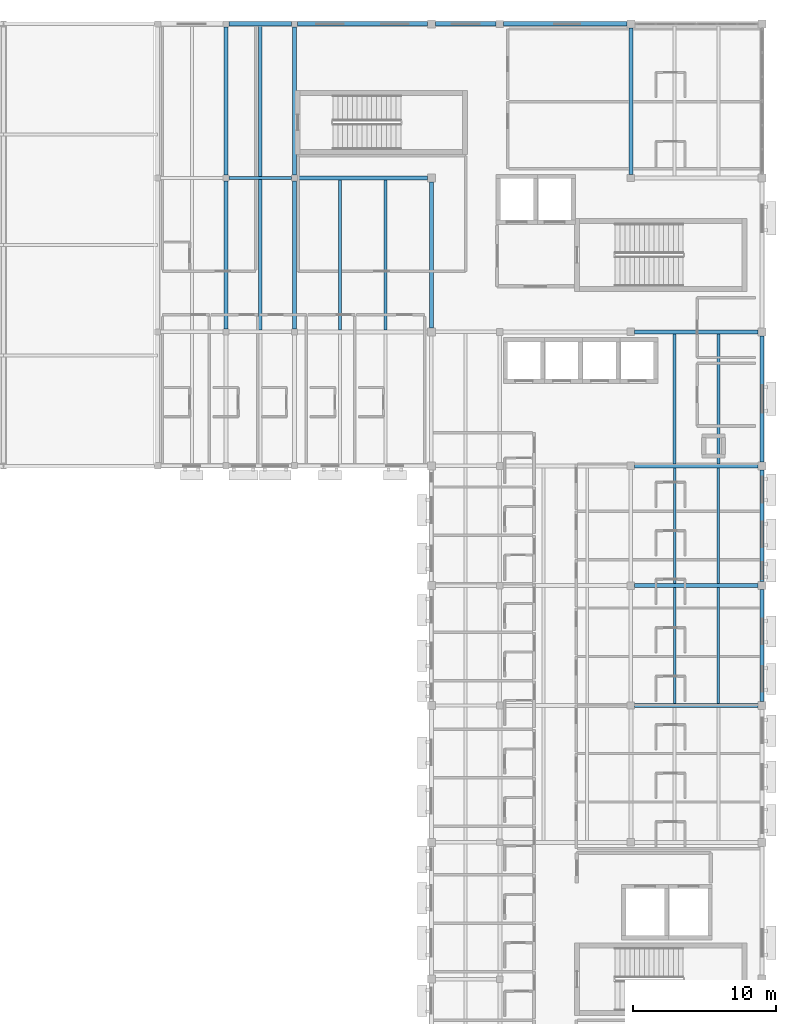
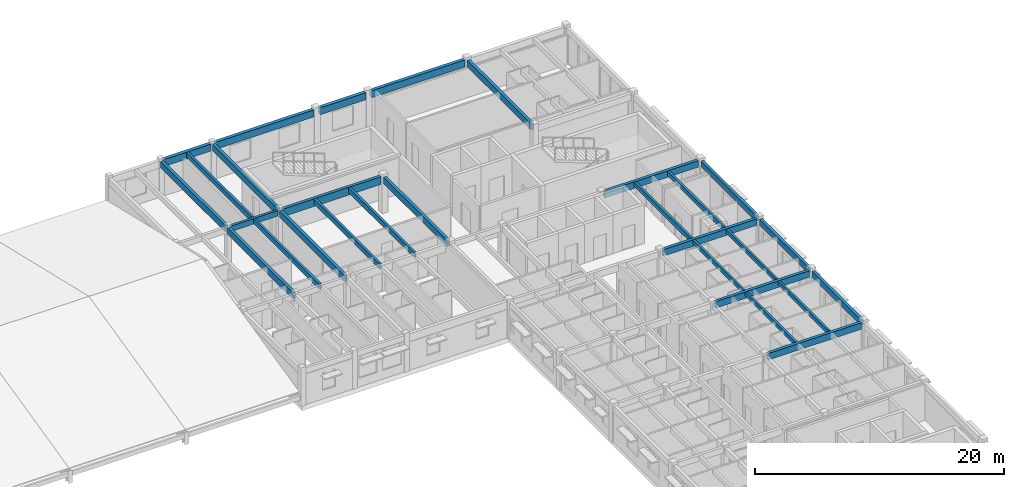
# One storey, part 18 of 40: 29 beams.
"""IFC4 building model written with IfcOpenShell, lengths in metres."""

from ifc_helpers import new_model, si_unit, direction, frame, origin, origin_2d, place, context, subcontext, project, spatial, rectangle, extrude, material, material_profile, profile_set, type_object, element, save


model = new_model("IFC4")

# Units and contexts
model_context = context("Model", 3, precision=1e-05, world=origin(), true_north=direction((0.0, 1.0)))
body_context = subcontext(model_context, "Body", "Model", "MODEL_VIEW")
ifc_project = project(units=[si_unit("LENGTHUNIT", "METRE"), si_unit("AREAUNIT", "SQUARE_METRE"), si_unit("VOLUMEUNIT", "CUBIC_METRE"), si_unit("PLANEANGLEUNIT", "RADIAN"), si_unit("MASSUNIT", "GRAM", prefix="KILO")], contexts=[model_context])

# Site, building, storey
site_placement = place(None, origin())
site = spatial("IfcSite", under=ifc_project, at=site_placement, CompositionType="ELEMENT")
building_placement = place(site_placement, origin())
building = spatial("IfcBuilding", under=site, at=building_placement, Name="Veldera Park Congress Hotel", CompositionType="ELEMENT")
storey_placement = place(building_placement, frame((0.0, 0.0, 16.199951171875)))
storey = spatial("IfcBuildingStorey", under=building, at=storey_placement, Name="L03", CompositionType="ELEMENT", Elevation=16.199951171875)

# Beams
ifc_material = material(Name="Glulam GL28h (NDS 24F-V4)", Category="wood")
ifc_material_profile_1 = material_profile(ifc_material, rectangle(XDim=0.239990234375, YDim=0.5400390625, at=origin_2d()), Name="GL28h 240x540")
ifc_profile_set_1 = profile_set([ifc_material_profile_1], Name="Glulam GL28h (NDS 24F-V4)")
beam_type_1 = type_object("IfcBeamType", Name="BM-GL540", PredefinedType="BEAM", material=ifc_profile_set_1)
beam_1_placement = place(storey_placement, frame((46.610107421875, 47.199951171875, 3.2900390625), z_axis=(1.0, 0.0, 0.0), x_axis=(0.0, 1.0, 0.0)))
element("IfcBeam", 1, at=beam_1_placement, inside=storey, type_object=beam_type_1, Name="L03 Girder BM-GL540 1127", PredefinedType="BEAM", context=body_context, shape_type="SweptSolid", body=[
    extrude(rectangle(XDim=0.239990234375, YDim=0.5400390625, at=origin_2d()), origin(), (0.0, 0.0, 1.0), 4.3798828125),
])
ifc_material_profile_2 = material_profile(ifc_material, rectangle(XDim=0.264892578125, YDim=0.580078125, at=origin_2d()), Name="GL28h 265x580")
ifc_profile_set_2 = profile_set([ifc_material_profile_2], Name="Glulam GL28h (NDS 24F-V4)")
beam_type_2 = type_object("IfcBeamType", Name="BM-GL540E", PredefinedType="BEAM", material=ifc_profile_set_2)
for number, where, z_axis, x_axis, name in (
    (2, (84.0, 10.47998046875, 3.27001953125), (0.0, 1.0, 0.0), (-1.0, 0.0, 0.0), "L03 Girder BM-GL540E 1191"),
    (3, (84.0, 18.8798828125, 3.27001953125), (0.0, 1.0, 0.0), (-1.0, 0.0, 0.0), "L03 Girder BM-GL540E 1192"),
):
    element("IfcBeam", number, at=place(storey_placement, frame(where, z_axis=z_axis, x_axis=x_axis)), inside=storey, type_object=beam_type_2, Name=name, PredefinedType="BEAM", context=body_context, shape_type="SweptSolid", body=[
        extrude(rectangle(XDim=0.264892578125, YDim=0.580078125, at=origin_2d()), origin(), (0.0, 0.0, 1.0), 7.840087890625),
    ])
beam_2_placement = place(storey_placement, frame((84.0, 27.280029296875, 3.27001953125), z_axis=(0.0, 1.0, 0.0), x_axis=(-1.0, 0.0, 0.0)))
element("IfcBeam", 4, at=beam_2_placement, inside=storey, type_object=beam_type_2, Name="L03 Girder BM-GL540E 1193", PredefinedType="BEAM", context=body_context, shape_type="SweptSolid", body=[
    extrude(rectangle(XDim=0.264892578125, YDim=0.580078125, at=origin_2d()), origin(), (0.0, 0.0, 1.0), 8.840087890625),
])
ifc_material_profile_3 = material_profile(ifc_material, rectangle(XDim=0.280029296875, YDim=0.639892578125, at=origin_2d()), Name="GL28h 280x640")
ifc_profile_set_3 = profile_set([ifc_material_profile_3], Name="Glulam GL28h (NDS 24F-V4)")
beam_type_3 = type_object("IfcBeamType", Name="BM-GL640", PredefinedType="BEAM", material=ifc_profile_set_3)
for number, where, z_axis, x_axis, name in (
    (5, (75.06005859375, 10.199951171875, 3.239990234375), (1.0, 0.0, 0.0), (0.0, 1.0, 0.0), "L03 Girder BM-GL640 1102"),
    (6, (75.06005859375, 18.60009765625, 3.239990234375), (1.0, 0.0, 0.0), (0.0, 1.0, 0.0), "L03 Girder BM-GL640 1105"),
    (7, (75.06005859375, 27.0, 3.239990234375), (1.0, 0.0, 0.0), (0.0, 1.0, 0.0), "L03 Girder BM-GL640 1113"),
    (8, (75.06005859375, 36.39990234375, 3.239990234375), (1.0, 0.0, 0.0), (0.0, 1.0, 0.0), "L03 Girder BM-GL640 1122"),
):
    element("IfcBeam", number, at=place(storey_placement, frame(where, z_axis=z_axis, x_axis=x_axis)), inside=storey, type_object=beam_type_3, Name=name, PredefinedType="BEAM", context=body_context, shape_type="SweptSolid", body=[
        extrude(rectangle(XDim=0.280029296875, YDim=0.639892578125, at=origin_2d()), origin(), (0.0, 0.0, 1.0), 8.659912109375),
    ])
beam_3_placement = place(storey_placement, frame((46.39990234375, 36.610107421875, 3.239990234375), z_axis=(0.0, 1.0, 0.0), x_axis=(-1.0, 0.0, 0.0)))
element("IfcBeam", 9, at=beam_3_placement, inside=storey, type_object=beam_type_3, Name="L03 Girder BM-GL640 1152", PredefinedType="BEAM", context=body_context, shape_type="SweptSolid", body=[
    extrude(rectangle(XDim=0.280029296875, YDim=0.639892578125, at=origin_2d()), origin(), (0.0, 0.0, 1.0), 10.3798828125),
])
beam_4_placement = place(storey_placement, frame((46.39990234375, 47.409912109375, 3.239990234375), z_axis=(0.0, 1.0, 0.0), x_axis=(-1.0, 0.0, 0.0)))
element("IfcBeam", 10, at=beam_4_placement, inside=storey, type_object=beam_type_3, Name="L03 Girder BM-GL640 1153", PredefinedType="BEAM", context=body_context, shape_type="SweptSolid", body=[
    extrude(rectangle(XDim=0.280029296875, YDim=0.639892578125, at=origin_2d()), origin(), (0.0, 0.0, 1.0), 10.364990234375),
])
beam_5_placement = place(storey_placement, frame((51.199951171875, 36.610107421875, 3.239990234375), z_axis=(0.0, 1.0, 0.0), x_axis=(-1.0, 0.0, 0.0)))
element("IfcBeam", 11, at=beam_5_placement, inside=storey, type_object=beam_type_3, Name="L03 Girder BM-GL640 1155", PredefinedType="BEAM", context=body_context, shape_type="SweptSolid", body=[
    extrude(rectangle(XDim=0.280029296875, YDim=0.639892578125, at=origin_2d()), origin(), (0.0, 0.0, 1.0), 10.3798828125),
])
beam_6_placement = place(storey_placement, frame((51.199951171875, 47.409912109375, 3.239990234375), z_axis=(0.0, 1.0, 0.0), x_axis=(-1.0, 0.0, 0.0)))
element("IfcBeam", 12, at=beam_6_placement, inside=storey, type_object=beam_type_3, Name="L03 Girder BM-GL640 1156", PredefinedType="BEAM", context=body_context, shape_type="SweptSolid", body=[
    extrude(rectangle(XDim=0.280029296875, YDim=0.639892578125, at=origin_2d()), origin(), (0.0, 0.0, 1.0), 10.364990234375),
])
beam_7_placement = place(storey_placement, frame((60.800048828125, 36.679931640625, 3.239990234375), z_axis=(0.0, 1.0, 0.0), x_axis=(-1.0, 0.0, 0.0)))
element("IfcBeam", 13, at=beam_7_placement, inside=storey, type_object=beam_type_3, Name="L03 Girder BM-GL640 1167", PredefinedType="BEAM", context=body_context, shape_type="SweptSolid", body=[
    extrude(rectangle(XDim=0.280029296875, YDim=0.639892578125, at=origin_2d()), origin(), (0.0, 0.0, 1.0), 10.239990234375),
])
beam_8_placement = place(storey_placement, frame((74.800048828125, 47.4599609375, 3.239990234375), z_axis=(0.0, 1.0, 0.0), x_axis=(-1.0, 0.0, 0.0)))
element("IfcBeam", 14, at=beam_8_placement, inside=storey, type_object=beam_type_3, Name="L03 Girder BM-GL640 1183", PredefinedType="BEAM", context=body_context, shape_type="SweptSolid", body=[
    extrude(rectangle(XDim=0.280029296875, YDim=0.639892578125, at=origin_2d()), origin(), (0.0, 0.0, 1.0), 10.260009765625),
])
ifc_material_profile_4 = material_profile(ifc_material, rectangle(XDim=0.31494140625, YDim=0.679931640625, at=origin_2d()), Name="GL28h 315x680")
ifc_profile_set_4 = profile_set([ifc_material_profile_4], Name="Glulam GL28h (NDS 24F-V4)")
beam_type_4 = type_object("IfcBeamType", Name="BM-GL640E", PredefinedType="BEAM", material=ifc_profile_set_4)
beam_9_placement = place(storey_placement, frame((46.625, 58.0, 3.219970703125), z_axis=(1.0, 0.0, 0.0), x_axis=(0.0, 1.0, 0.0)))
element("IfcBeam", 15, at=beam_9_placement, inside=storey, type_object=beam_type_4, Name="L03 Girder BM-GL640E 1134", PredefinedType="BEAM", context=body_context, shape_type="SweptSolid", body=[
    extrude(rectangle(XDim=0.31494140625, YDim=0.679931640625, at=origin_2d()), origin(), (0.0, 0.0, 1.0), 4.35009765625),
])
beam_10_placement = place(storey_placement, frame((51.425048828125, 58.0, 3.219970703125), z_axis=(1.0, 0.0, 0.0), x_axis=(0.0, 1.0, 0.0)))
element("IfcBeam", 16, at=beam_10_placement, inside=storey, type_object=beam_type_4, Name="L03 Girder BM-GL640E 1135", PredefinedType="BEAM", context=body_context, shape_type="SweptSolid", body=[
    extrude(rectangle(XDim=0.31494140625, YDim=0.679931640625, at=origin_2d()), origin(), (0.0, 0.0, 1.0), 9.094970703125),
])
beam_11_placement = place(storey_placement, frame((61.080078125, 58.0, 3.219970703125), z_axis=(1.0, 0.0, 0.0), x_axis=(0.0, 1.0, 0.0)))
element("IfcBeam", 17, at=beam_11_placement, inside=storey, type_object=beam_type_4, Name="L03 Girder BM-GL640E 1136", PredefinedType="BEAM", context=body_context, shape_type="SweptSolid", body=[
    extrude(rectangle(XDim=0.31494140625, YDim=0.679931640625, at=origin_2d()), origin(), (0.0, 0.0, 1.0), 4.260009765625),
])
beam_12_placement = place(storey_placement, frame((65.860107421875, 58.0, 3.219970703125), z_axis=(1.0, 0.0, 0.0), x_axis=(0.0, 1.0, 0.0)))
element("IfcBeam", 18, at=beam_12_placement, inside=storey, type_object=beam_type_4, Name="L03 Girder BM-GL640E 1137", PredefinedType="BEAM", context=body_context, shape_type="SweptSolid", body=[
    extrude(rectangle(XDim=0.31494140625, YDim=0.679931640625, at=origin_2d()), origin(), (0.0, 0.0, 1.0), 8.659912109375),
])
ifc_material_profile_5 = material_profile(ifc_material, rectangle(XDim=0.280029296875, YDim=0.760009765625, at=origin_2d()), Name="GL28h 280x760")
ifc_profile_set_5 = profile_set([ifc_material_profile_5], Name="Glulam GL28h (NDS 24F-V4)")
beam_type_5 = type_object("IfcBeamType", Name="BM-GL760", PredefinedType="BEAM", material=ifc_profile_set_5)
beam_13_placement = place(storey_placement, frame((51.409912109375, 47.199951171875, 3.179931640625), z_axis=(1.0, 0.0, 0.0), x_axis=(0.0, 1.0, 0.0)))
element("IfcBeam", 19, at=beam_13_placement, inside=storey, type_object=beam_type_5, Name="L03 Girder BM-GL760 1128", PredefinedType="BEAM", context=body_context, shape_type="SweptSolid", body=[
    extrude(rectangle(XDim=0.280029296875, YDim=0.760009765625, at=origin_2d()), origin(), (0.0, 0.0, 1.0), 9.110107421875),
])
ifc_material_profile_6 = material_profile(ifc_material, rectangle(XDim=0.18994140625, YDim=0.39990234375, at=origin_2d()), Name="GL28h 190x400")
ifc_profile_set_6 = profile_set([ifc_material_profile_6], Name="Glulam GL28h (NDS 24F-V4)")
beam_type_6 = type_object("IfcBeamType", Name="JST-GL400", PredefinedType="JOIST", material=ifc_profile_set_6)
for number, where, z_axis, x_axis, name in (
    (20, (77.86669921875, 10.340087890625, 3.360107421875), (0.0, 1.0, 0.0), (-1.0, 0.0, 0.0), "L03 Floor Joist JST-GL400 1217"),
    (21, (80.933349609375, 10.340087890625, 3.360107421875), (0.0, 1.0, 0.0), (-1.0, 0.0, 0.0), "L03 Floor Joist JST-GL400 1218"),
):
    element("IfcBeam", number, at=place(storey_placement, frame(where, z_axis=z_axis, x_axis=x_axis)), inside=storey, type_object=beam_type_6, Name=name, PredefinedType="JOIST", context=body_context, shape_type="SweptSolid", body=[
        extrude(rectangle(XDim=0.18994140625, YDim=0.39990234375, at=origin_2d()), origin(), (0.0, 0.0, 1.0), 8.119873046875),
    ])
for number, where, z_axis, x_axis, name in (
    (22, (77.86669921875, 18.739990234375, 3.360107421875), (0.0, 1.0, 0.0), (-1.0, 0.0, 0.0), "L03 Floor Joist JST-GL400 1222"),
    (23, (80.933349609375, 18.739990234375, 3.360107421875), (0.0, 1.0, 0.0), (-1.0, 0.0, 0.0), "L03 Floor Joist JST-GL400 1223"),
):
    element("IfcBeam", number, at=place(storey_placement, frame(where, z_axis=z_axis, x_axis=x_axis)), inside=storey, type_object=beam_type_6, Name=name, PredefinedType="JOIST", context=body_context, shape_type="SweptSolid", body=[
        extrude(rectangle(XDim=0.18994140625, YDim=0.39990234375, at=origin_2d()), origin(), (0.0, 0.0, 1.0), 8.1201171875),
    ])
ifc_material_profile_7 = material_profile(ifc_material, rectangle(XDim=0.215087890625, YDim=0.449951171875, at=origin_2d()), Name="GL28h 215x450")
ifc_profile_set_7 = profile_set([ifc_material_profile_7], Name="Glulam GL28h (NDS 24F-V4)")
beam_type_7 = type_object("IfcBeamType", Name="JST-GL450", PredefinedType="JOIST", material=ifc_profile_set_7)
for number, where, z_axis, x_axis, name in (
    (24, (77.86669921875, 27.139892578125, 3.3349609375), (0.0, 1.0, 0.0), (-1.0, 0.0, 0.0), "L03 Floor Joist JST-GL450 1233"),
    (25, (80.933349609375, 27.139892578125, 3.3349609375), (0.0, 1.0, 0.0), (-1.0, 0.0, 0.0), "L03 Floor Joist JST-GL450 1234"),
):
    element("IfcBeam", number, at=place(storey_placement, frame(where, z_axis=z_axis, x_axis=x_axis)), inside=storey, type_object=beam_type_7, Name=name, PredefinedType="JOIST", context=body_context, shape_type="SweptSolid", body=[
        extrude(rectangle(XDim=0.215087890625, YDim=0.449951171875, at=origin_2d()), origin(), (0.0, 0.0, 1.0), 9.1201171875),
    ])
ifc_material_profile_8 = material_profile(ifc_material, rectangle(XDim=0.215087890625, YDim=0.4951171875, at=origin_2d()), Name="GL28h 215x495")
ifc_profile_set_8 = profile_set([ifc_material_profile_8], Name="Glulam GL28h (NDS 24F-V4)")
beam_type_8 = type_object("IfcBeamType", Name="JST-GL495", PredefinedType="JOIST", material=ifc_profile_set_8)
beam_14_placement = place(storey_placement, frame((48.800048828125, 36.52001953125, 3.3125), z_axis=(0.0, 1.0, 0.0), x_axis=(-1.0, 0.0, 0.0)))
element("IfcBeam", 26, at=beam_14_placement, inside=storey, type_object=beam_type_8, Name="L03 Floor Joist JST-GL495 1242", PredefinedType="JOIST", context=body_context, shape_type="SweptSolid", body=[
    extrude(rectangle(XDim=0.215087890625, YDim=0.4951171875, at=origin_2d()), origin(), (0.0, 0.0, 1.0), 10.56005859375),
])
for number, where, z_axis, x_axis, name in (
    (27, (54.39990234375, 36.5400390625, 3.3125), (0.0, 1.0, 0.0), (-1.0, 0.0, 0.0), "L03 Floor Joist JST-GL495 1243"),
    (28, (57.60009765625, 36.5400390625, 3.3125), (0.0, 1.0, 0.0), (-1.0, 0.0, 0.0), "L03 Floor Joist JST-GL495 1244"),
):
    element("IfcBeam", number, at=place(storey_placement, frame(where, z_axis=z_axis, x_axis=x_axis)), inside=storey, type_object=beam_type_8, Name=name, PredefinedType="JOIST", context=body_context, shape_type="SweptSolid", body=[
        extrude(rectangle(XDim=0.215087890625, YDim=0.4951171875, at=origin_2d()), origin(), (0.0, 0.0, 1.0), 10.52001953125),
    ])
beam_15_placement = place(storey_placement, frame((48.800048828125, 47.320068359375, 3.3125), z_axis=(0.0, 1.0, 0.0), x_axis=(-1.0, 0.0, 0.0)))
element("IfcBeam", 29, at=beam_15_placement, inside=storey, type_object=beam_type_8, Name="L03 Floor Joist JST-GL495 1250", PredefinedType="JOIST", context=body_context, shape_type="SweptSolid", body=[
    extrude(rectangle(XDim=0.215087890625, YDim=0.4951171875, at=origin_2d()), origin(), (0.0, 0.0, 1.0), 10.5224609375),
])

save(model, "model.ifc")
